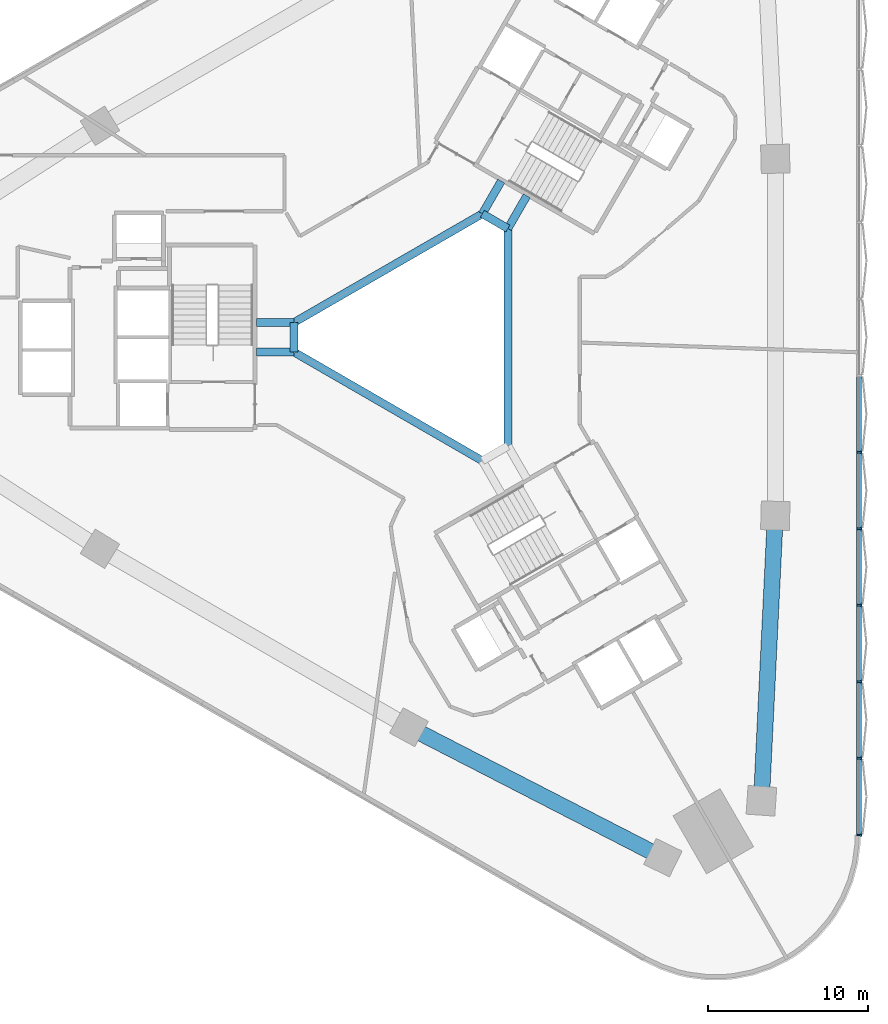
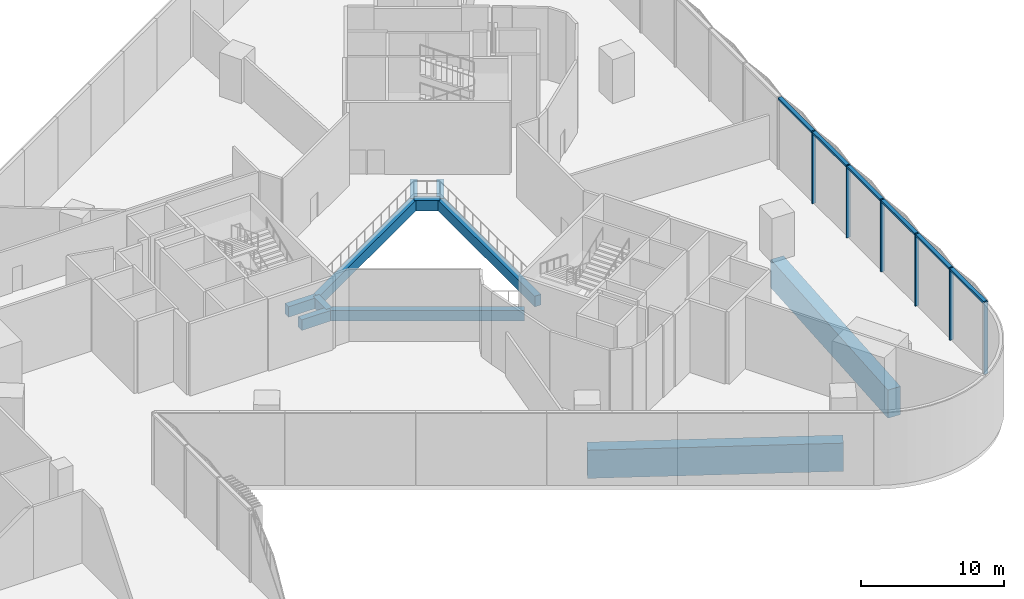
# One storey, part 6 of 32: 11 beams, 8 members, 1 element without a shape of its own.
"""IFC4 building model written with IfcOpenShell, lengths in metres."""

from ifc_helpers import new_model, si_unit, direction, frame, origin, origin_2d, place, context, subcontext, project, spatial, rectangle, extrude, material, material_profile, profile_set, type_object, element, aggregate, save


model = new_model("IFC4")

# Units and contexts
model_context = context("Model", 3, precision=1e-05, world=origin(), true_north=direction((0.0, 1.0)))
body_context = subcontext(model_context, "Body", "Model", "MODEL_VIEW")
ifc_project = project(units=[si_unit("LENGTHUNIT", "METRE"), si_unit("AREAUNIT", "SQUARE_METRE"), si_unit("VOLUMEUNIT", "CUBIC_METRE"), si_unit("PLANEANGLEUNIT", "RADIAN"), si_unit("MASSUNIT", "GRAM", prefix="KILO")], contexts=[model_context])

# Site, building, storey
site_placement = place(None, origin())
site = spatial("IfcSite", under=ifc_project, at=site_placement, CompositionType="ELEMENT")
building_placement = place(site_placement, origin())
building = spatial("IfcBuilding", under=site, at=building_placement, Name="Tamra Quay Hotel Tower", CompositionType="ELEMENT")
storey_placement = place(building_placement, frame((0.0, 0.0, 7.5)))
storey = spatial("IfcBuildingStorey", under=building, at=storey_placement, Name="L01", CompositionType="ELEMENT", Elevation=7.5)

# Beams
ifc_material_1 = material(Name="Concrete M60", Category="concrete")
ifc_material_profile_1 = material_profile(ifc_material_1, rectangle(XDim=0.5, YDim=0.89990234375, at=origin_2d()), Name="ATRIUM EDGE BEAM RC 500x900")
ifc_profile_set_1 = profile_set([ifc_material_profile_1], Name="Concrete M60")
beam_type_1 = type_object("IfcBeamType", Name="ATRIUM EDGE BEAM RC 500x900", PredefinedType="BEAM", material=ifc_profile_set_1)
beam_1_placement = place(storey_placement, frame((5.0, 6.812744140625, -0.85009765625), z_axis=(0.0, -1.0, 0.0), x_axis=(1.0, 0.0, 0.0)))
element("IfcBeam", 1, at=beam_1_placement, inside=storey, type_object=beam_type_1, Name="BM-AB0-L01", PredefinedType="BEAM", context=body_context, shape_type="SweptSolid", body=[
    extrude(rectangle(XDim=0.5, YDim=0.89990234375, at=origin_2d()), origin(), (0.0, 0.0, 1.0), 13.62548828125),
])
beam_2_placement = place(storey_placement, frame((3.39990234375, -7.736572265625, -0.85009765625), z_axis=(-0.866021471679, 0.500006810544, 0.0), x_axis=(-0.500006810544, -0.866021471679, 0.0)))
element("IfcBeam", 2, at=beam_2_placement, inside=storey, type_object=beam_type_1, Name="BM-AB2-L01", PredefinedType="BEAM", context=body_context, shape_type="SweptSolid", body=[
    extrude(rectangle(XDim=0.5, YDim=0.89990234375, at=origin_2d()), origin(), (0.0, 0.0, 1.0), 13.625244140625),
])
beam_3_placement = place(storey_placement, frame((-8.39990234375, -0.923828125, -0.85009765625), z_axis=(0.0, 1.0, 0.0), x_axis=(-1.0, 0.0, 0.0)))
element("IfcBeam", 3, at=beam_3_placement, inside=storey, type_object=beam_type_1, Name="BM-AB3-L01", PredefinedType="BEAM", context=body_context, shape_type="SweptSolid", body=[
    extrude(rectangle(XDim=0.5, YDim=0.89990234375, at=origin_2d()), origin(), (0.0, 0.0, 1.0), 1.84765625),
])
beam_4_placement = place(storey_placement, frame((-8.39990234375, 0.923828125, -0.85009765625), z_axis=(0.866021471679, 0.500006810544, 0.0), x_axis=(-0.500006810544, 0.866021471679, 0.0)))
element("IfcBeam", 4, at=beam_4_placement, inside=storey, type_object=beam_type_1, Name="BM-AB4-L01", PredefinedType="BEAM", context=body_context, shape_type="SweptSolid", body=[
    extrude(rectangle(XDim=0.5, YDim=0.89990234375, at=origin_2d()), origin(), (0.0, 0.0, 1.0), 13.625244140625),
])
beam_5_placement = place(storey_placement, frame((3.39990234375, 7.736572265625, -0.85009765625), z_axis=(0.86602275259, -0.500004591975, 0.0), x_axis=(0.500004591975, 0.86602275259, 0.0)))
element("IfcBeam", 5, at=beam_5_placement, inside=storey, type_object=beam_type_1, Name="BM-AB5-L01", PredefinedType="BEAM", context=body_context, shape_type="SweptSolid", body=[
    extrude(rectangle(XDim=0.5, YDim=0.89990234375, at=origin_2d()), origin(), (0.0, 0.0, 1.0), 1.84765625),
])
ifc_material_profile_2 = material_profile(ifc_material_1, rectangle(XDim=0.5, YDim=0.89990234375, at=origin_2d()), Name="ATRIUM TIE BEAM RC 500x900")
ifc_profile_set_2 = profile_set([ifc_material_profile_2], Name="Concrete M60")
beam_type_2 = type_object("IfcBeamType", Name="ATRIUM TIE BEAM RC 500x900", PredefinedType="BEAM", material=ifc_profile_set_2)
beam_6_placement = place(storey_placement, frame((5.0, 6.812744140625, -0.85009765625), z_axis=(0.500029618126, 0.866008303076, 0.0), x_axis=(-0.866008303076, 0.500029618126, 0.0)))
element("IfcBeam", 6, at=beam_6_placement, inside=storey, type_object=beam_type_2, Name="BM-TIE-0-L01", PredefinedType="BEAM", context=body_context, shape_type="SweptSolid", body=[
    extrude(rectangle(XDim=0.5, YDim=0.89990234375, at=origin_2d()), origin(), (0.0, 0.0, 1.0), 2.362060546875),
])
for number, where, z_axis, x_axis, name in (
    (7, (-8.39990234375, -0.923828125, -0.85009765625), (-1.0, 0.0, 0.0), (0.0, -1.0, 0.0), "BM-TIE-3-L01"),
    (8, (-8.39990234375, 0.923828125, -0.85009765625), (-1.0, 0.0, 0.0), (0.0, -1.0, 0.0), "BM-TIE-4-L01"),
):
    element("IfcBeam", number, at=place(storey_placement, frame(where, z_axis=z_axis, x_axis=x_axis)), inside=storey, type_object=beam_type_2, Name=name, PredefinedType="BEAM", context=body_context, shape_type="SweptSolid", body=[
        extrude(rectangle(XDim=0.5, YDim=0.89990234375, at=origin_2d()), origin(), (0.0, 0.0, 1.0), 2.3623046875),
    ])
beam_7_placement = place(storey_placement, frame((3.39990234375, 7.736572265625, -0.85009765625), z_axis=(0.500029618126, 0.866008303076, 0.0), x_axis=(-0.866008303076, 0.500029618126, 0.0)))
element("IfcBeam", 9, at=beam_7_placement, inside=storey, type_object=beam_type_2, Name="BM-TIE-5-L01", PredefinedType="BEAM", context=body_context, shape_type="SweptSolid", body=[
    extrude(rectangle(XDim=0.5, YDim=0.89990234375, at=origin_2d()), origin(), (0.0, 0.0, 1.0), 2.362060546875),
])

# Curtain wall, members
ifc_material_2 = material(Name="Aluminium 6063 anodised dark grey", Category="aluminium")
curtain_wall_type = type_object("IfcCurtainWallType", Name="CW4 CURTAIN WALL", PredefinedType="NOTDEFINED", material=ifc_material_2)
curtain_wall_placement = place(storey_placement, origin())
curtain_wall = element("IfcCurtainWall", 10, at=curtain_wall_placement, inside=storey, type_object=curtain_wall_type, Name="CW4 east face L01", PredefinedType="NOTDEFINED")
ifc_material_profile_3 = material_profile(ifc_material_2, rectangle(XDim=0.300048828125, YDim=0.1201171875, at=origin_2d()), Name="MULLION 120X300")
ifc_profile_set_3 = profile_set([ifc_material_profile_3], Name="Aluminium 6063 anodised dark grey")
member_type_1 = type_object("IfcMemberType", Name="MULLION CW4", PredefinedType="MULLION", material=ifc_profile_set_3)
member_1_placement = place(storey_placement, frame((27.0, -31.177001953125, 0.0), z_axis=(0.0, 0.0, 1.0), x_axis=(0.99986613791, -0.016361731626, 0.0)))
member_1 = element("IfcMember", 11, at=member_1_placement, type_object=member_type_1, Name="CW4 mullion L01.E.5", PredefinedType="MULLION", context=body_context, shape_type="SweptSolid", body=[
    extrude(rectangle(XDim=0.300048828125, YDim=0.1201171875, at=origin_2d()), origin(), (0.0, 0.0, 1.0), 6.14990234375),
])
member_2_placement = place(storey_placement, frame((27.0, -26.38037109375, 0.0), z_axis=(0.0, 0.0, 1.0), x_axis=(1.0, 0.0, 0.0)))
member_2 = element("IfcMember", 12, at=member_2_placement, type_object=member_type_1, Name="CW4 mullion L01.E.6", PredefinedType="MULLION", context=body_context, shape_type="SweptSolid", body=[
    extrude(rectangle(XDim=0.300048828125, YDim=0.1201171875, at=origin_2d()), origin(), (0.0, 0.0, 1.0), 6.14990234375),
])
member_3_placement = place(storey_placement, frame((27.0, -21.583984375, 0.0), z_axis=(0.0, 0.0, 1.0), x_axis=(1.0, 0.0, 0.0)))
member_3 = element("IfcMember", 13, at=member_3_placement, type_object=member_type_1, Name="CW4 mullion L01.E.7", PredefinedType="MULLION", context=body_context, shape_type="SweptSolid", body=[
    extrude(rectangle(XDim=0.300048828125, YDim=0.1201171875, at=origin_2d()), origin(), (0.0, 0.0, 1.0), 6.14990234375),
])
member_4_placement = place(storey_placement, frame((27.0, -16.78759765625, 0.0), z_axis=(0.0, 0.0, 1.0), x_axis=(1.0, 0.0, 0.0)))
member_4 = element("IfcMember", 14, at=member_4_placement, type_object=member_type_1, Name="CW4 mullion L01.E.8", PredefinedType="MULLION", context=body_context, shape_type="SweptSolid", body=[
    extrude(rectangle(XDim=0.300048828125, YDim=0.1201171875, at=origin_2d()), origin(), (0.0, 0.0, 1.0), 6.14990234375),
])
member_5_placement = place(storey_placement, frame((27.0, -11.9912109375, 0.0), z_axis=(0.0, 0.0, 1.0), x_axis=(1.0, 0.0, 0.0)))
member_5 = element("IfcMember", 15, at=member_5_placement, type_object=member_type_1, Name="CW4 mullion L01.E.9", PredefinedType="MULLION", context=body_context, shape_type="SweptSolid", body=[
    extrude(rectangle(XDim=0.300048828125, YDim=0.1201171875, at=origin_2d()), origin(), (0.0, 0.0, 1.0), 6.14990234375),
])
member_6_placement = place(storey_placement, frame((27.0, -7.194580078125, 0.0), z_axis=(0.0, 0.0, 1.0), x_axis=(1.0, 0.0, 0.0)))
member_6 = element("IfcMember", 16, at=member_6_placement, type_object=member_type_1, Name="CW4 mullion L01.E.10", PredefinedType="MULLION", context=body_context, shape_type="SweptSolid", body=[
    extrude(rectangle(XDim=0.300048828125, YDim=0.1201171875, at=origin_2d()), origin(), (0.0, 0.0, 1.0), 6.14990234375),
])

# Beams
ifc_material_profile_4 = material_profile(ifc_material_1, rectangle(XDim=1.0, YDim=2.39990234375, at=origin_2d()), Name="PODIUM RING GIRDER RC 1000x2400")
ifc_profile_set_4 = profile_set([ifc_material_profile_4], Name="Concrete M60")
beam_type_3 = type_object("IfcBeamType", Name="PODIUM RING GIRDER RC 1000x2400", PredefinedType="BEAM", material=ifc_profile_set_4)
beam_8_placement = place(storey_placement, frame((20.87890625, -29.033935546875, -1.60009765625), z_axis=(0.048662088022, 0.998815298836, 0.0), x_axis=(-0.998815298836, 0.048662088022, 0.0)))
element("IfcBeam", 17, at=beam_8_placement, inside=storey, type_object=beam_type_3, Name="BM-PG001-L01", PredefinedType="BEAM", context=body_context, shape_type="SweptSolid", body=[
    extrude(rectangle(XDim=1.0, YDim=2.39990234375, at=origin_2d()), origin(), (0.0, 0.0, 1.0), 17.880859375),
])
beam_9_placement = place(storey_placement, frame((-1.197265625, -24.422607421875, -1.60009765625), z_axis=(0.889334920836, -0.457256381673, 0.0), x_axis=(0.457256381673, 0.889334920836, 0.0)))
element("IfcBeam", 18, at=beam_9_placement, inside=storey, type_object=beam_type_3, Name="BM-PG009-L01", PredefinedType="BEAM", context=body_context, shape_type="SweptSolid", body=[
    extrude(rectangle(XDim=1.0, YDim=2.39990234375, at=origin_2d()), origin(), (0.0, 0.0, 1.0), 17.880615234375),
])

# Member
ifc_material_profile_5 = material_profile(ifc_material_2, rectangle(XDim=0.300048828125, YDim=0.179931640625, at=origin_2d()), Name="TRANSOM 300X180")
ifc_profile_set_5 = profile_set([ifc_material_profile_5], Name="Aluminium 6063 anodised dark grey")
member_type_2 = type_object("IfcMemberType", Name="TRANSOM CW4", PredefinedType="USERDEFINED", material=ifc_profile_set_5)
member_7_placement = place(storey_placement, frame((27.0, -31.116943359375, 6.06005859375), z_axis=(0.0, 1.0, 0.0), x_axis=(-1.0, 0.0, 0.0)))
member_7 = element("IfcMember", 19, at=member_7_placement, type_object=member_type_2, Name="CW4 transom L01.E.5", ObjectType="TRANSOM", PredefinedType="USERDEFINED", context=body_context, shape_type="SweptSolid", body=[
    extrude(rectangle(XDim=0.300048828125, YDim=0.179931640625, at=origin_2d()), origin(), (0.0, 0.0, 1.0), 14.269287109375),
])

member_8_placement = place(storey_placement, frame((27.0, -16.7275390625, 6.06005859375), z_axis=(0.0, 1.0, 0.0), x_axis=(-1.0, 0.0, 0.0)))
member_8 = element("IfcMember", 20, at=member_8_placement, type_object=member_type_2, Name="CW4 transom L01.E.8", ObjectType="TRANSOM", PredefinedType="USERDEFINED", context=body_context, shape_type="SweptSolid", body=[
    extrude(rectangle(XDim=0.300048828125, YDim=0.179931640625, at=origin_2d()), origin(), (0.0, 0.0, 1.0), 14.269287109375),
])

aggregate(curtain_wall, [member_1, member_7, member_2, member_3, member_4, member_8, member_5, member_6])

save(model, "model.ifc")
